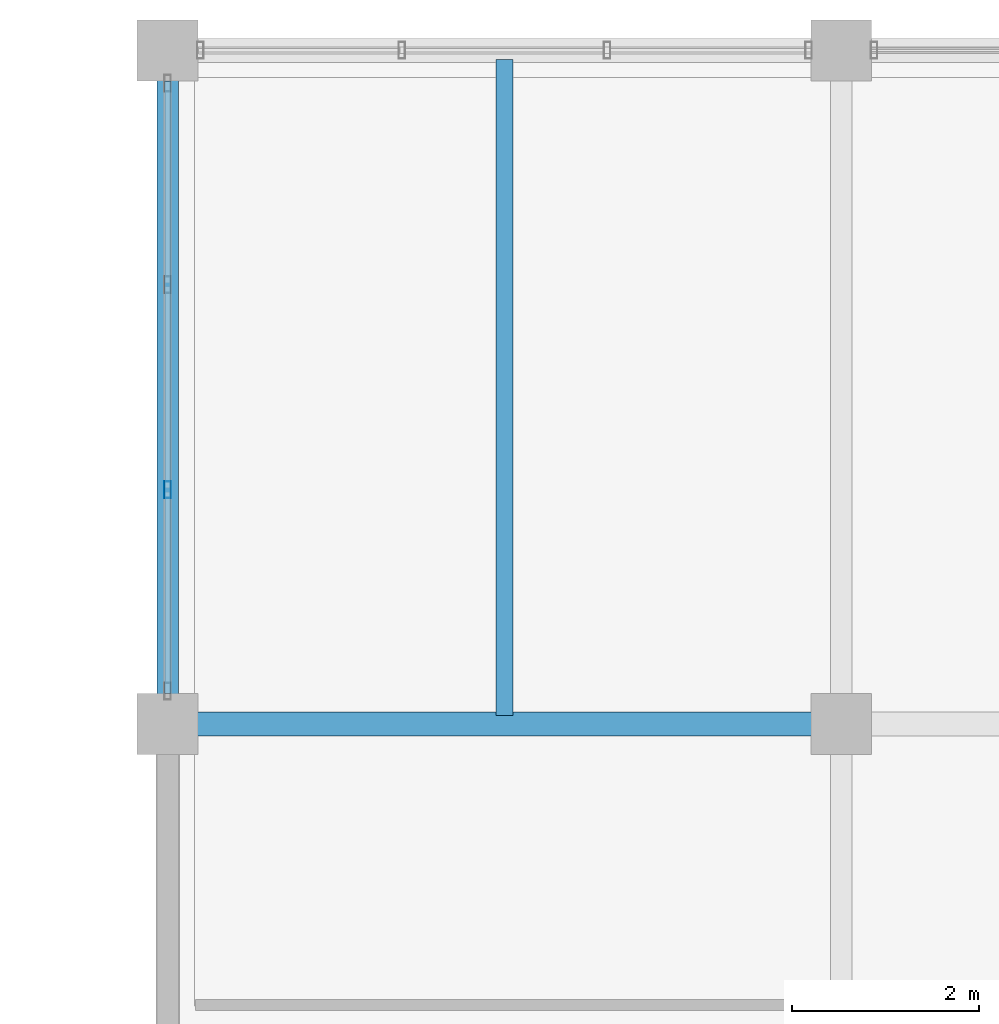
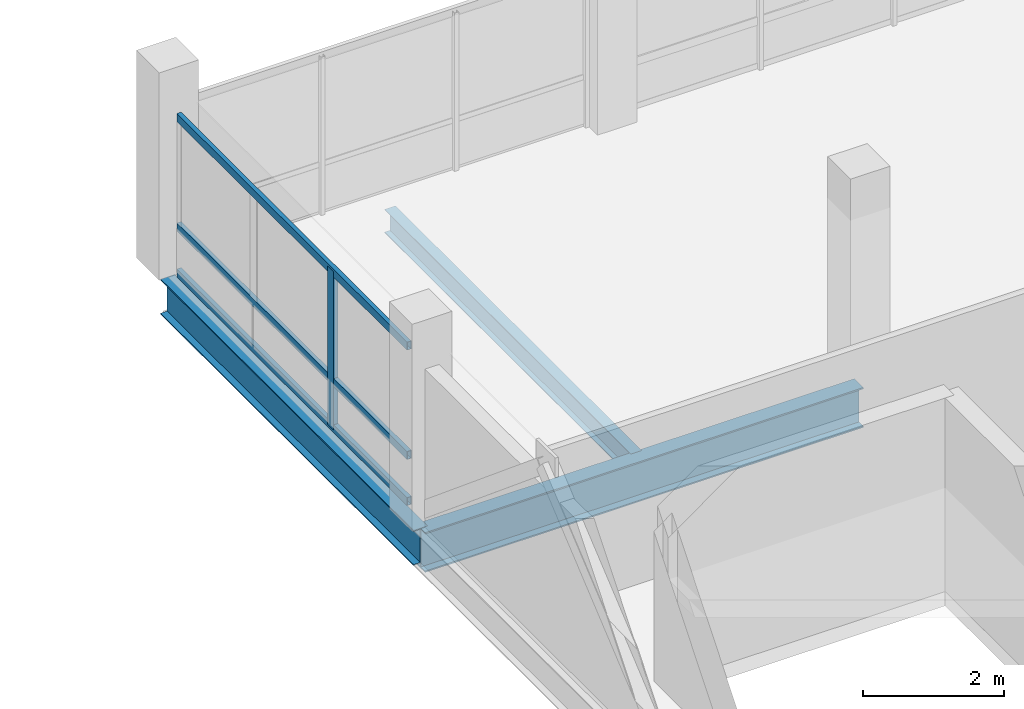
# One storey, part 37 of 96: 4 members, 3 beams, 1 element without a shape of its own.
"""IFC4 building model written with IfcOpenShell, lengths in metres."""

from ifc_helpers import new_model, si_unit, direction, frame, origin, origin_2d, place, context, subcontext, project, spatial, hollow_rectangle, i_section, extrude, material, material_profile, profile_set, type_object, element, aggregate, save


model = new_model("IFC4")

# Units and contexts
model_context = context("Model", 3, precision=1e-05, world=origin(), true_north=direction((0.0, 1.0)))
body_context = subcontext(model_context, "Body", "Model", "MODEL_VIEW")
ifc_project = project(units=[si_unit("LENGTHUNIT", "METRE"), si_unit("AREAUNIT", "SQUARE_METRE"), si_unit("VOLUMEUNIT", "CUBIC_METRE"), si_unit("PLANEANGLEUNIT", "RADIAN"), si_unit("MASSUNIT", "GRAM", prefix="KILO")], contexts=[model_context])

# Site, building, storey
site_placement = place(None, origin())
site = spatial("IfcSite", under=ifc_project, at=site_placement, CompositionType="ELEMENT")
building_placement = place(site_placement, origin())
building = spatial("IfcBuilding", under=site, at=building_placement, Name="Yarey Park Central Fire Station", CompositionType="ELEMENT")
storey_placement = place(building_placement, frame((0.0, 0.0, 14.39990234375)))
storey = spatial("IfcBuildingStorey", under=building, at=storey_placement, Name="L04", CompositionType="ELEMENT", Elevation=14.39990234375)

# Curtain wall, members
ifc_material_1 = material(Name="Anodized Aluminium Frame", Category="aluminium")
curtain_wall_type = type_object("IfcCurtainWallType", Name="ENV_CW_HQ_L04", PredefinedType="NOTDEFINED", material=ifc_material_1)
curtain_wall_placement = place(storey_placement, origin())
curtain_wall = element("IfcCurtainWall", 1, at=curtain_wall_placement, inside=storey, type_object=curtain_wall_type, Name="CW_L04_V4_W_108", PredefinedType="NOTDEFINED")
ifc_material_profile_1 = material_profile(ifc_material_1, hollow_rectangle(XDim=0.070068359375, YDim=0.179931640625, WallThickness=0.00390625, at=origin_2d()), Name="ALU 180x70x4")
ifc_profile_set_1 = profile_set([ifc_material_profile_1], Name="Anodized Aluminium Frame")
member_type_1 = type_object("IfcMemberType", Name="ENV_CW_MULLION", PredefinedType="MULLION", material=ifc_profile_set_1)
member_1_placement = place(storey_placement, frame((115.199951171875, 110.50341796875, 0.0), z_axis=(0.0, 0.0, 1.0), x_axis=(1.0, 0.0, 0.0)))
member_1 = element("IfcMember", 2, at=member_1_placement, type_object=member_type_1, Name="CW_L04_V4_W_108_MUL3", PredefinedType="MULLION", context=body_context, shape_type="SweptSolid", body=[
    extrude(hollow_rectangle(XDim=0.070068359375, YDim=0.179931640625, WallThickness=0.00390625, at=origin_2d()), origin(), (0.0, 0.0, 1.0), 2.75),
])
ifc_material_profile_2 = material_profile(ifc_material_1, hollow_rectangle(XDim=0.070068359375, YDim=0.139892578125, WallThickness=0.00390625, at=origin_2d()), Name="ALU 140x70x4")
ifc_profile_set_2 = profile_set([ifc_material_profile_2], Name="Anodized Aluminium Frame")
member_type_2 = type_object("IfcMemberType", Name="ENV_CW_TRANSOM", PredefinedType="USERDEFINED", material=ifc_profile_set_2)
member_2_placement = place(storey_placement, frame((115.199951171875, 114.875, 0.025146484375), z_axis=(0.0, -1.0, 0.0), x_axis=(1.0, 0.0, 0.0)))
member_2 = element("IfcMember", 3, at=member_2_placement, type_object=member_type_2, Name="CW_L04_V4_W_108_TRN1", ObjectType="TRANSOM", PredefinedType="USERDEFINED", context=body_context, shape_type="SweptSolid", body=[
    extrude(hollow_rectangle(XDim=0.070068359375, YDim=0.139892578125, WallThickness=0.00390625, at=origin_2d()), origin(), (0.0, 0.0, 1.0), 6.550048828125),
])
member_3_placement = place(storey_placement, frame((115.199951171875, 114.875, 0.8251953125), z_axis=(0.0, -1.0, 0.0), x_axis=(1.0, 0.0, 0.0)))
member_3 = element("IfcMember", 4, at=member_3_placement, type_object=member_type_2, Name="CW_L04_V4_W_108_TRN2", ObjectType="TRANSOM", PredefinedType="USERDEFINED", context=body_context, shape_type="SweptSolid", body=[
    extrude(hollow_rectangle(XDim=0.070068359375, YDim=0.139892578125, WallThickness=0.00390625, at=origin_2d()), origin(), (0.0, 0.0, 1.0), 6.550048828125),
])
member_4_placement = place(storey_placement, frame((115.199951171875, 114.875, 2.72509765625), z_axis=(0.0, -1.0, 0.0), x_axis=(1.0, 0.0, 0.0)))
member_4 = element("IfcMember", 5, at=member_4_placement, type_object=member_type_2, Name="CW_L04_V4_W_108_TRN3", ObjectType="TRANSOM", PredefinedType="USERDEFINED", context=body_context, shape_type="SweptSolid", body=[
    extrude(hollow_rectangle(XDim=0.070068359375, YDim=0.139892578125, WallThickness=0.00390625, at=origin_2d()), origin(), (0.0, 0.0, 1.0), 6.550048828125),
])
aggregate(curtain_wall, [member_1, member_2, member_3, member_4])

# Beams
ifc_material_2 = material(Name="Steel ASTM A992 Gr. 50", Category="steel")
ifc_material_profile_3 = material_profile(ifc_material_2, i_section(OverallWidth=0.22900390625, OverallDepth=0.612060546875, WebThickness=0.011962890625, FlangeThickness=0.01953125, at=origin_2d()), Name="W610x125")
ifc_profile_set_3 = profile_set([ifc_material_profile_3], Name="Steel ASTM A992 Gr. 50")
beam_type_1 = type_object("IfcBeamType", Name="STR_BM_W610", PredefinedType="BEAM", material=ifc_profile_set_3)
beam_1_placement = place(storey_placement, frame((115.199951171875, 108.0, -0.555908203125), z_axis=(0.0, 1.0, 0.0), x_axis=(-1.0, 0.0, 0.0)))
element("IfcBeam", 6, at=beam_1_placement, inside=storey, type_object=beam_type_1, Name="BMY L04 X1152 Y1080", PredefinedType="BEAM", context=body_context, shape_type="SweptSolid", body=[
    extrude(i_section(OverallWidth=0.22900390625, OverallDepth=0.612060546875, WebThickness=0.011962890625, FlangeThickness=0.01953125, at=origin_2d()), origin(), (0.0, 0.0, 1.0), 7.199951171875),
])
ifc_material_profile_4 = material_profile(ifc_material_2, i_section(OverallWidth=0.256103515625, OverallDepth=0.693115234375, WebThickness=0.014404296875, FlangeThickness=0.023681640625, at=origin_2d()), Name="W690x170")
ifc_profile_set_4 = profile_set([ifc_material_profile_4], Name="Steel ASTM A992 Gr. 50")
beam_type_2 = type_object("IfcBeamType", Name="STR_BM_W690", PredefinedType="BEAM", material=ifc_profile_set_4)
beam_2_placement = place(storey_placement, frame((115.199951171875, 108.0, -0.596435546875), z_axis=(1.0, 0.0, 0.0), x_axis=(0.0, 1.0, 0.0)))
element("IfcBeam", 7, at=beam_2_placement, inside=storey, type_object=beam_type_2, Name="BMX L04 Y1080 X1152", PredefinedType="BEAM", context=body_context, shape_type="SweptSolid", body=[
    extrude(i_section(OverallWidth=0.256103515625, OverallDepth=0.693115234375, WebThickness=0.014404296875, FlangeThickness=0.023681640625, at=origin_2d()), origin(), (0.0, 0.0, 1.0), 7.199951171875),
])
ifc_material_profile_5 = material_profile(ifc_material_2, i_section(OverallWidth=0.177978515625, OverallDepth=0.406982421875, WebThickness=0.0078125, FlangeThickness=0.0126953125, at=origin_2d()), Name="W410x60")
ifc_profile_set_5 = profile_set([ifc_material_profile_5], Name="Steel ASTM A992 Gr. 50")
beam_type_3 = type_object("IfcBeamType", Name="STR_JST_W410", PredefinedType="JOIST", material=ifc_profile_set_5)
beam_3_placement = place(storey_placement, frame((118.800048828125, 108.094970703125, -0.453369140625), z_axis=(0.0, 1.0, 0.0), x_axis=(-1.0, 0.0, 0.0)))
element("IfcBeam", 8, at=beam_3_placement, inside=storey, type_object=beam_type_3, Name="JST L04 X1188 Y1080", PredefinedType="JOIST", context=body_context, shape_type="SweptSolid", body=[
    extrude(i_section(OverallWidth=0.177978515625, OverallDepth=0.406982421875, WebThickness=0.0078125, FlangeThickness=0.0126953125, at=origin_2d()), origin(), (0.0, 0.0, 1.0), 7.010009765625),
])

save(model, "model.ifc")
